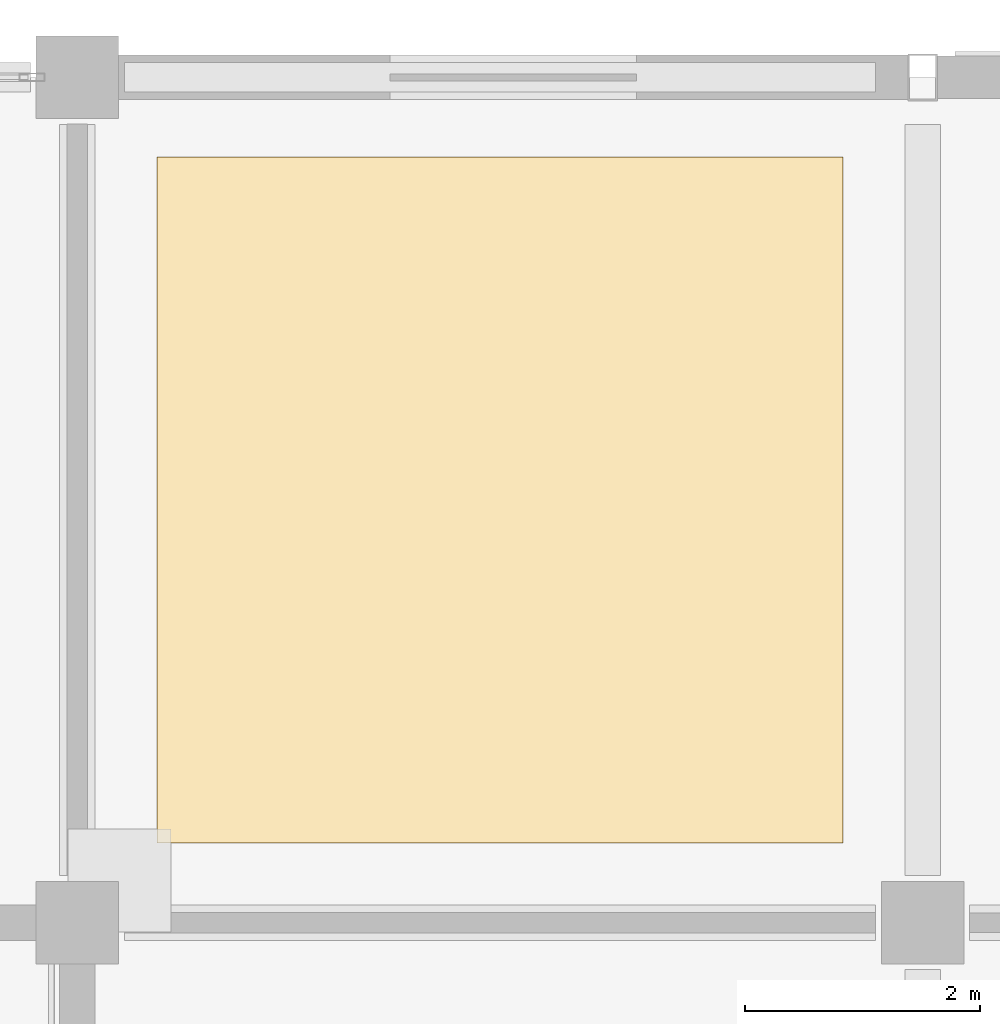
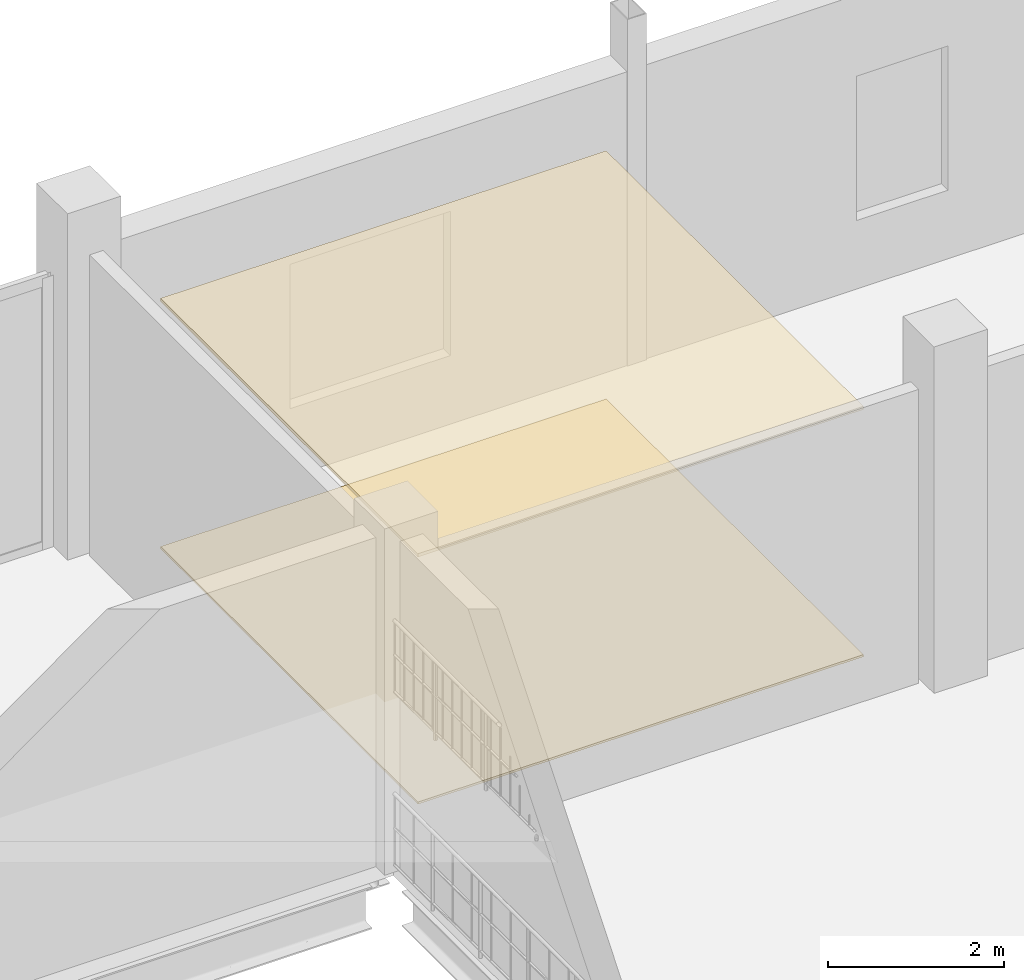
# One storey, part 111 of 120: 2 coverings.
"""IFC4 building model written with IfcOpenShell, lengths in metres."""

from ifc_helpers import new_model, si_unit, direction, frame, origin, place, context, subcontext, project, spatial, polyline, outline, extrude, material, layer, layer_set, type_object, element, save


model = new_model("IFC4")

# Units and contexts
model_context = context("Model", 3, precision=1e-05, world=origin(), true_north=direction((0.0, 1.0)))
body_context = subcontext(model_context, "Body", "Model", "MODEL_VIEW")
ifc_project = project(units=[si_unit("LENGTHUNIT", "METRE"), si_unit("AREAUNIT", "SQUARE_METRE"), si_unit("VOLUMEUNIT", "CUBIC_METRE"), si_unit("PLANEANGLEUNIT", "RADIAN"), si_unit("MASSUNIT", "GRAM", prefix="KILO")], contexts=[model_context])

# Site, building, storey
site_placement = place(None, origin())
site = spatial("IfcSite", under=ifc_project, at=site_placement, CompositionType="ELEMENT")
building_placement = place(site_placement, origin())
building = spatial("IfcBuilding", under=site, at=building_placement, Name="Vesperath Aquatics Centre", CompositionType="ELEMENT")
storey_placement = place(building_placement, frame((0.0, 0.0, 10.199951171875)))
storey = spatial("IfcBuildingStorey", under=building, at=storey_placement, Name="L02", CompositionType="ELEMENT", Elevation=10.199951171875)

# Coverings
ifc_material_1 = material(Name="Perforated moisture-resistant acoustic mineral-fibre ceiling", Category="gypsum")
ifc_layer_1 = layer(ifc_material_1, 0.044921875)
ifc_layer_set_1 = layer_set([ifc_layer_1], Name="Perforated moisture-resistant acoustic mineral-fibre ceiling")
covering_type_1 = type_object("IfcCoveringType", Name="CV-CLG01", PredefinedType="CEILING", material=ifc_layer_set_1)
covering_1_placement = place(storey_placement, frame((0.0, 0.0, 3.425048828125)))
element("IfcCovering", 1, at=covering_1_placement, inside=storey, type_object=covering_type_1, Name="Acoustic Suspended Ceiling CLG1 L02_SPIN", PredefinedType="CEILING", context=body_context, shape_type="SweptSolid", body=[
    extrude(outline(polyline([(123.080078125, 36.679931640625), (128.919921875, 36.679931640625), (128.919921875, 42.52001953125), (123.080078125, 42.52001953125), (123.080078125, 36.679931640625)])), origin(), (0.0, 0.0, 1.0), 0.044921875),
])
ifc_material_2 = material(Name="Slip-resistant vitrified ceramic and terrazzo flooring", Category="ceramic")
ifc_layer_2 = layer(ifc_material_2, 0.030029296875)
ifc_layer_set_2 = layer_set([ifc_layer_2], Name="Slip-resistant vitrified ceramic and terrazzo flooring")
covering_type_2 = type_object("IfcCoveringType", Name="CV-FLR01", PredefinedType="FLOORING", material=ifc_layer_set_2)
covering_2_placement = place(storey_placement, origin())
element("IfcCovering", 2, at=covering_2_placement, inside=storey, type_object=covering_type_2, Name="Slip-Resistant Floor Finish FLR1 L02_SPIN", PredefinedType="FLOORING", context=body_context, shape_type="SweptSolid", body=[
    extrude(outline(polyline([(123.080078125, 36.679931640625), (128.919921875, 36.679931640625), (128.919921875, 42.52001953125), (123.080078125, 42.52001953125), (123.080078125, 36.679931640625)])), origin(), (0.0, 0.0, 1.0), 0.030029296875),
])

save(model, "model.ifc")
